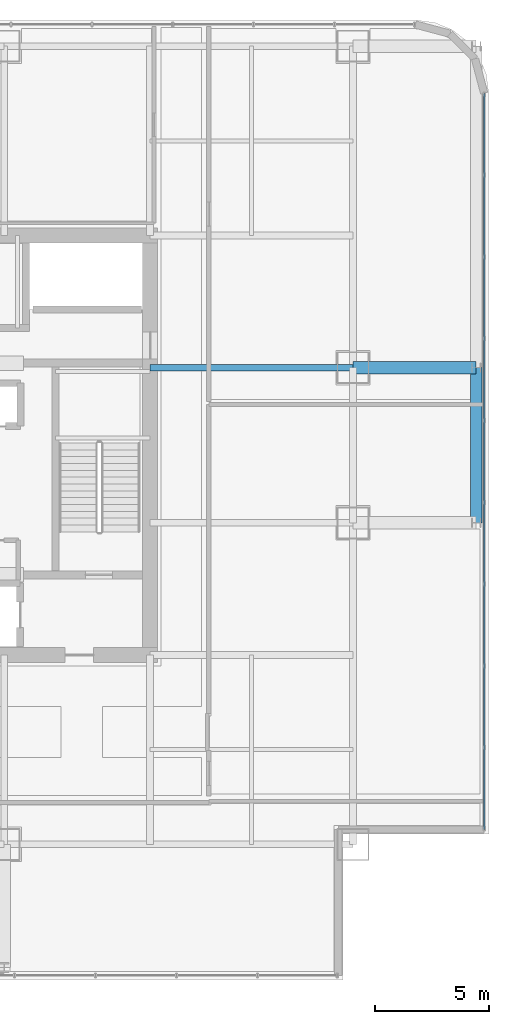
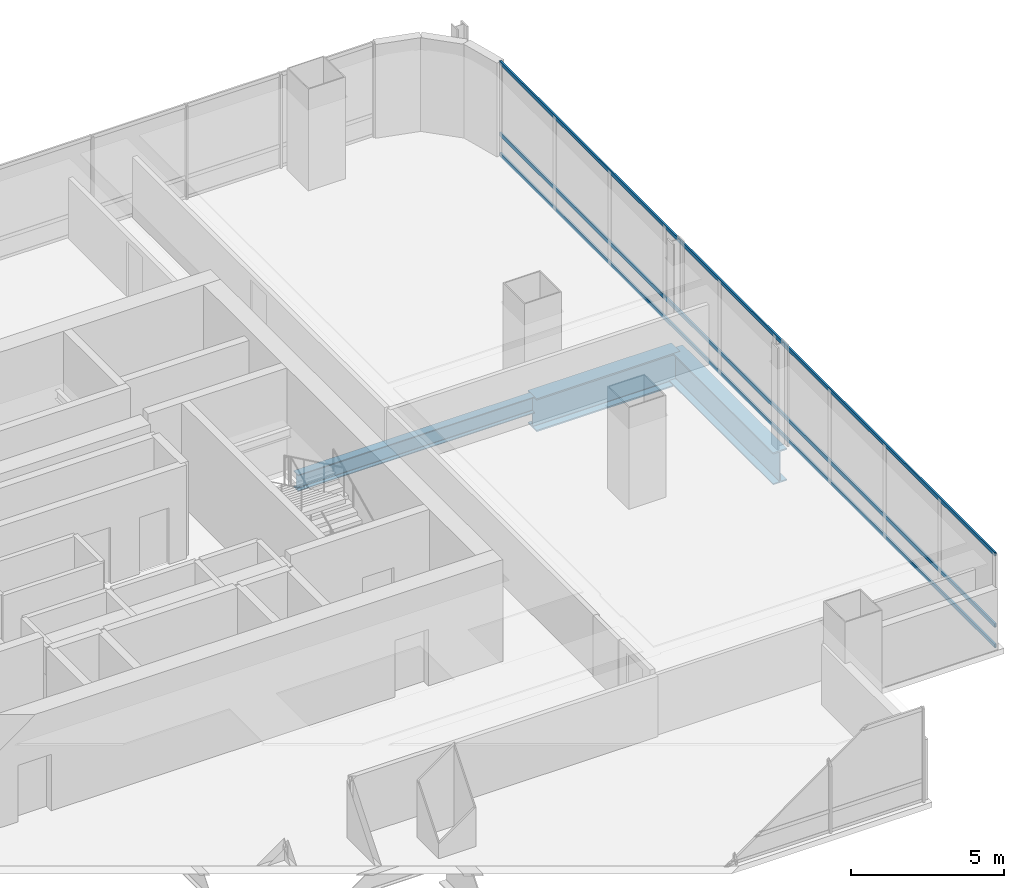
# One storey, part 19 of 35: 3 beams, 3 members, 1 element without a shape of its own.
"""IFC4 building model written with IfcOpenShell, lengths in metres."""

import ifcopenshell
import ifcopenshell.guid

model = None  # the IFC model being written
_history = None  # IfcOwnerHistory: only IFC2X3 demands one
_inside = {}  # id of a spatial element -> (the spatial element, [elements in it])
_under = {}  # id of a project, library or spatial element -> (it, [spatial elements below it])
_declared = {}  # id of a project -> (the project, [libraries it declares])
_typed = {}  # id of a type object -> (the type object, [elements of that type])
_made_of = {}  # id of a material, layer set ... -> (it, [elements and type objects made of it])


def new_model(schema):
    """Start an empty IFC model of exactly this schema.

    Asked for "IFC4X3", IfcOpenShell would pick the latest addendum, in which some entities
    have other attributes; the version numbers below select the first issue.
    IFC2X3 requires an IfcOwnerHistory on every rooted entity: one is made here for all.
    """
    global model, _history
    if schema == "IFC4X3":
        model = ifcopenshell.file(schema_version=(4, 3, 0, 0))
    else:
        model = ifcopenshell.file(schema=schema)
    _inside.clear()
    _under.clear()
    _declared.clear()
    _typed.clear()
    _made_of.clear()
    _history = None
    if model.schema == "IFC2X3":
        org = make("IfcOrganization", Name="unknown")
        user = make(
            "IfcPersonAndOrganization",
            ThePerson=make("IfcPerson", FamilyName="unknown"),
            TheOrganization=org,
        )
        app = make(
            "IfcApplication",
            ApplicationDeveloper=org,
            Version="unknown",
            ApplicationFullName="unknown",
            ApplicationIdentifier="unknown",
        )
        _history = make(
            "IfcOwnerHistory",
            OwningUser=user,
            OwningApplication=app,
            ChangeAction="ADDED",
            CreationDate=0,
        )
    return model


def make(cls, **values):
    """One entity of the class cls with the attributes given. An attribute that is None is left unset."""
    return model.create_entity(
        cls, **{name: value for name, value in values.items() if value is not None}
    )


def rooted(cls, **values):
    """An entity with a GlobalId (a new one), such as an element, a storey or a relation."""
    return make(cls, GlobalId=ifcopenshell.guid.new(), OwnerHistory=_history, **values)


def si_unit(unit_type, name, prefix=None):
    """IfcSIUnit, for example si_unit("LENGTHUNIT", "METRE", prefix="MILLI")."""
    return make("IfcSIUnit", UnitType=unit_type, Prefix=prefix, Name=name)


def assignment(units):
    """IfcUnitAssignment: the units of a project."""
    return None if units is None else make("IfcUnitAssignment", Units=units)


def point(xyz):
    """IfcCartesianPoint."""
    return None if xyz is None else make("IfcCartesianPoint", Coordinates=xyz)


def direction(xyz):
    """IfcDirection."""
    return None if xyz is None else make("IfcDirection", DirectionRatios=xyz)


def frame(location, z_axis=None, x_axis=None):
    """IfcAxis2Placement3D, a coordinate frame: its origin and axes. An axis left out is left unset."""
    return make(
        "IfcAxis2Placement3D",
        Location=point(location),
        Axis=direction(z_axis),
        RefDirection=direction(x_axis),
    )


def frame_2d(location, x_axis=None):
    """IfcAxis2Placement2D, a coordinate frame in the plane: its origin and x axis."""
    return make(
        "IfcAxis2Placement2D", Location=point(location), RefDirection=direction(x_axis)
    )


def origin():
    """The frame at (0, 0, 0) with its axes left unset."""
    return frame((0.0, 0.0, 0.0))


def origin_2d():
    """The frame at (0, 0) in the plane with its x axis left unset."""
    return frame_2d((0.0, 0.0))


def place(relative_to, where):
    """IfcLocalPlacement: puts the frame where relative to a parent placement (None: the world)."""
    return make(
        "IfcLocalPlacement", PlacementRelTo=relative_to, RelativePlacement=where
    )


def context(
    kind, dimensions, precision=None, world=None, true_north=None, identifier=None
):
    """IfcGeometricRepresentationContext, for example the 3D "Model" context."""
    return make(
        "IfcGeometricRepresentationContext",
        ContextIdentifier=identifier,
        ContextType=kind,
        CoordinateSpaceDimension=dimensions,
        Precision=precision,
        WorldCoordinateSystem=world,
        TrueNorth=true_north,
    )


def subcontext(parent, identifier, kind, view, scale=None):
    """IfcGeometricRepresentationSubContext, for example "Body" below "Model"."""
    return make(
        "IfcGeometricRepresentationSubContext",
        ContextIdentifier=identifier,
        ContextType=kind,
        ParentContext=parent,
        TargetScale=scale,
        TargetView=view,
    )


def project(units=None, contexts=None):
    """IfcProject with its units and contexts."""
    return rooted(
        "IfcProject",
        Name="project",
        RepresentationContexts=contexts,
        UnitsInContext=assignment(units),
    )


def spatial(cls, under=None, at=None, **own):
    """A site, building, storey or space (cls), placed at a placement, below another one or the project."""
    s = rooted(cls, ObjectPlacement=at, **own)
    if under is not None:
        _under.setdefault(under.id(), (under, []))[1].append(s)
    return s


def profile(cls, at=None, kind="AREA", **sizes):
    """A parametric profile (cls). Its sizes go by their IFC names, for example OverallWidth=200.0."""
    return make(cls, ProfileType=kind, Position=at, **sizes)


def hollow_rectangle(**sizes):
    """IfcRectangleHollowProfileDef."""
    return profile("IfcRectangleHollowProfileDef", **sizes)


def i_section(**sizes):
    """IfcIShapeProfileDef."""
    return profile("IfcIShapeProfileDef", **sizes)


def extrude(swept, where, along, depth):
    """IfcExtrudedAreaSolid: the profile swept, set in the frame where, extruded along a direction by depth."""
    return make(
        "IfcExtrudedAreaSolid",
        SweptArea=swept,
        Position=where,
        ExtrudedDirection=direction(along),
        Depth=depth,
    )


def shape(context_of_items, identifier, shape_type, items):
    """IfcShapeRepresentation: the items that make up one representation, for example the "Body"."""
    return make(
        "IfcShapeRepresentation",
        ContextOfItems=context_of_items,
        RepresentationIdentifier=identifier,
        RepresentationType=shape_type,
        Items=items,
    )


def material(Name=None, Category=None):
    """IfcMaterial."""
    return make("IfcMaterial", Name=Name, Category=Category)


def material_profile(
    of_material, cross_section, Name=None, Category=None, Priority=None
):
    """IfcMaterialProfile: a cross section and its material."""
    return make(
        "IfcMaterialProfile",
        Name=Name,
        Material=of_material,
        Profile=cross_section,
        Priority=Priority,
        Category=Category,
    )


def profile_set(profiles, Name=None, composite=None):
    """IfcMaterialProfileSet."""
    return make(
        "IfcMaterialProfileSet",
        Name=Name,
        MaterialProfiles=profiles,
        CompositeProfile=composite,
    )


def made_of(thing, what):
    """Note that an element or type object is made of a material, layer set ...; save() writes the relation."""
    if what is not None:
        _made_of.setdefault(what.id(), (what, []))[1].append(thing)
    return thing


def type_object(cls, material=None, **own):
    """A type object (cls), such as IfcWallType, which elements share."""
    return made_of(rooted(cls, **own), material)


def element(
    cls,
    number,
    at=None,
    inside=None,
    cuts=None,
    type_object=None,
    material=None,
    context=None,
    identifier="Body",
    shape_type=None,
    held_by="IfcProductDefinitionShape",
    body=None,
    shapes=None,
    **own,
):
    """One element of the class cls, such as IfcWall. Its Tag is "e" and its number.

    at: its placement. inside: the storey or other place that contains it. cuts: it is an
    opening in that element (IfcRelVoidsElement). A single representation is given by context,
    identifier, shape_type and body (its items); several are given by shapes. held_by: the class
    of the entity that holds the representations. save() writes the other relations.
    """
    e = rooted(cls, Tag="e%d" % number, ObjectPlacement=at, **own)
    if body is not None:
        shapes = [shape(context, identifier, shape_type, body)]
    if shapes is not None:
        e.Representation = make(held_by, Representations=shapes)
    if inside is not None:
        _inside.setdefault(inside.id(), (inside, []))[1].append(e)
    if cuts is not None:
        rooted(
            "IfcRelVoidsElement", RelatingBuildingElement=cuts, RelatedOpeningElement=e
        )
    if type_object is not None:
        _typed.setdefault(type_object.id(), (type_object, []))[1].append(e)
    return made_of(e, material)


def aggregate(whole, parts):
    """IfcRelAggregates: a whole, such as a stair, and the parts it consists of."""
    return rooted("IfcRelAggregates", RelatingObject=whole, RelatedObjects=parts)


def save(model, path):
    """Write the relations noted so far, then the file.

    IfcRelAggregates (storeys below a building ...), IfcRelContainedInSpatialStructure (elements
    in a storey), IfcRelDefinesByType, IfcRelAssociatesMaterial and IfcRelDeclares: one each for
    every whole, place, type object, material and project.
    """
    for whole, parts in _under.values():
        aggregate(whole, parts)
    for where, things in _inside.values():
        rooted(
            "IfcRelContainedInSpatialStructure",
            RelatedElements=things,
            RelatingStructure=where,
        )
    for kind, things in _typed.values():
        rooted("IfcRelDefinesByType", RelatedObjects=things, RelatingType=kind)
    for what, things in _made_of.values():
        rooted("IfcRelAssociatesMaterial", RelatedObjects=things, RelatingMaterial=what)
    for by, libraries in _declared.values():
        rooted("IfcRelDeclares", RelatingContext=by, RelatedDefinitions=libraries)
    model.write(path)


model = new_model("IFC4")

# Units and contexts
model_context = context("Model", 3, precision=1e-05, world=origin(), true_north=direction((0.0, 1.0)))
body_context = subcontext(model_context, "Body", "Model", "MODEL_VIEW")
ifc_project = project(units=[si_unit("LENGTHUNIT", "METRE"), si_unit("AREAUNIT", "SQUARE_METRE"), si_unit("VOLUMEUNIT", "CUBIC_METRE"), si_unit("PLANEANGLEUNIT", "RADIAN"), si_unit("MASSUNIT", "GRAM", prefix="KILO")], contexts=[model_context])

# Site, building, storey
site_placement = place(None, origin())
site = spatial("IfcSite", under=ifc_project, at=site_placement, CompositionType="ELEMENT")
building_placement = place(site_placement, origin())
building = spatial("IfcBuilding", under=site, at=building_placement, Name="Punatoya Terracotta Tower", CompositionType="ELEMENT")
storey_placement = place(building_placement, frame((0.0, 0.0, 232.949951171875)))
storey = spatial("IfcBuildingStorey", under=building, at=storey_placement, Name="L55", CompositionType="ELEMENT", Elevation=232.949951171875)

# Beams
ifc_material_1 = material(Name="Steel S355", Category="steel")
ifc_material_profile_1 = material_profile(ifc_material_1, i_section(OverallWidth=0.300048828125, OverallDepth=0.64990234375, WebThickness=0.01611328125, FlangeThickness=0.031005859375, FilletRadius=0.01806640625, at=origin_2d()))
ifc_profile_set_1 = profile_set([ifc_material_profile_1], Name="Steel S355")
beam_type_1 = type_object("IfcBeamType", Name="BM-PRI-650", PredefinedType="BEAM", material=ifc_profile_set_1)
beam_1_placement = place(storey_placement, frame((10.199951171875, 3.39990234375, -0.544921875), z_axis=(1.0, 0.0, 0.0), x_axis=(0.0, 1.0, 0.0)))
element("IfcBeam", 1, at=beam_1_placement, inside=storey, type_object=beam_type_1, Name="BM-L55-PR-EE", PredefinedType="BEAM", context=body_context, shape_type="SweptSolid", body=[
    extrude(i_section(OverallWidth=0.300048828125, OverallDepth=0.64990234375, WebThickness=0.01611328125, FlangeThickness=0.031005859375, FilletRadius=0.01806640625, at=origin_2d()), origin(), (0.0, 0.0, 1.0), 8.900146484375),
])
ifc_material_2 = material(Name="Steel S460", Category="steel")
ifc_material_profile_2 = material_profile(ifc_material_2, i_section(OverallWidth=0.56005859375, OverallDepth=1.320068359375, WebThickness=0.035888671875, FlangeThickness=0.054931640625, FilletRadius=0.01806640625, at=origin_2d()))
ifc_profile_set_2 = profile_set([ifc_material_profile_2], Name="Steel S460")
beam_type_2 = type_object("IfcBeamType", Name="BM-TG-BLK", PredefinedType="BEAM", material=ifc_profile_set_2)
beam_2_placement = place(storey_placement, frame((19.10009765625, 3.39990234375, -0.8798828125), z_axis=(1.0, 0.0, 0.0), x_axis=(0.0, 1.0, 0.0)))
element("IfcBeam", 2, at=beam_2_placement, inside=storey, type_object=beam_type_2, Name="BM-L55-CANT-E3", PredefinedType="BEAM", context=body_context, shape_type="SweptSolid", body=[
    extrude(i_section(OverallWidth=0.56005859375, OverallDepth=1.320068359375, WebThickness=0.035888671875, FlangeThickness=0.054931640625, FilletRadius=0.01806640625, at=origin_2d()), origin(), (0.0, 0.0, 1.0), 5.39990234375),
])
ifc_material_profile_3 = material_profile(ifc_material_2, i_section(OverallWidth=0.52001953125, OverallDepth=1.280029296875, WebThickness=0.031982421875, FlangeThickness=0.050048828125, FilletRadius=0.01806640625, at=origin_2d()))
ifc_profile_set_3 = profile_set([ifc_material_profile_3], Name="Steel S460")
beam_type_3 = type_object("IfcBeamType", Name="BM-TG-NCK", PredefinedType="BEAM", material=ifc_profile_set_3)
beam_3_placement = place(storey_placement, frame((24.5, -3.39990234375, -0.85986328125), z_axis=(0.0, 1.0, 0.0), x_axis=(-1.0, 0.0, 0.0)))
element("IfcBeam", 3, at=beam_3_placement, inside=storey, type_object=beam_type_3, Name="BM-L55-PER-E1", PredefinedType="BEAM", context=body_context, shape_type="SweptSolid", body=[
    extrude(i_section(OverallWidth=0.52001953125, OverallDepth=1.280029296875, WebThickness=0.031982421875, FlangeThickness=0.050048828125, FilletRadius=0.01806640625, at=origin_2d()), origin(), (0.0, 0.0, 1.0), 6.7998046875),
])

# Curtain wall, members
ifc_material_3 = material(Name="Aluminium 6063-T6 + Double Low-E Glass", Category="aluminium")
curtain_wall_type = type_object("IfcCurtainWallType", Name="CW-M2", PredefinedType="NOTDEFINED", material=ifc_material_3)
curtain_wall_placement = place(storey_placement, origin())
curtain_wall = element("IfcCurtainWall", 4, at=curtain_wall_placement, inside=storey, type_object=curtain_wall_type, Name="L55 Curtain Wall CW-L55-E04-1", PredefinedType="NOTDEFINED")
ifc_material_4 = material(Name="Aluminium 6063-T6", Category="aluminium")
ifc_material_profile_4 = material_profile(ifc_material_4, hollow_rectangle(XDim=0.068115234375, YDim=0.14990234375, WallThickness=0.00390625, at=origin_2d()))
ifc_profile_set_4 = profile_set([ifc_material_profile_4], Name="Aluminium 6063-T6")
member_type = type_object("IfcMemberType", Name="CW-TRN-TYP", PredefinedType="USERDEFINED", material=ifc_profile_set_4)
member_1_placement = place(storey_placement, frame((24.85009765625, -16.85009765625, 0.0400390625), z_axis=(0.0, 1.0, 0.0), x_axis=(-1.0, 0.0, 0.0)))
member_1 = element("IfcMember", 5, at=member_1_placement, type_object=member_type, Name="CW-L55-E04-1 Transom 1", ObjectType="TRANSOM", PredefinedType="USERDEFINED", context=body_context, shape_type="SweptSolid", body=[
    extrude(hollow_rectangle(XDim=0.068115234375, YDim=0.14990234375, WallThickness=0.00390625, at=origin_2d()), origin(), (0.0, 0.0, 1.0), 32.287109375),
])
member_2_placement = place(storey_placement, frame((24.85009765625, -16.85009765625, 0.85009765625), z_axis=(0.0, 1.0, 0.0), x_axis=(-1.0, 0.0, 0.0)))
member_2 = element("IfcMember", 6, at=member_2_placement, type_object=member_type, Name="CW-L55-E04-1 Transom 2", ObjectType="TRANSOM", PredefinedType="USERDEFINED", context=body_context, shape_type="SweptSolid", body=[
    extrude(hollow_rectangle(XDim=0.068115234375, YDim=0.14990234375, WallThickness=0.00390625, at=origin_2d()), origin(), (0.0, 0.0, 1.0), 32.287109375),
])
member_3_placement = place(storey_placement, frame((24.85009765625, -16.85009765625, 3.68994140625), z_axis=(0.0, 1.0, 0.0), x_axis=(-1.0, 0.0, 0.0)))
member_3 = element("IfcMember", 7, at=member_3_placement, type_object=member_type, Name="CW-L55-E04-1 Transom 3", ObjectType="TRANSOM", PredefinedType="USERDEFINED", context=body_context, shape_type="SweptSolid", body=[
    extrude(hollow_rectangle(XDim=0.068115234375, YDim=0.14990234375, WallThickness=0.00390625, at=origin_2d()), origin(), (0.0, 0.0, 1.0), 32.287109375),
])
aggregate(curtain_wall, [member_1, member_2, member_3])

save(model, "model.ifc")
